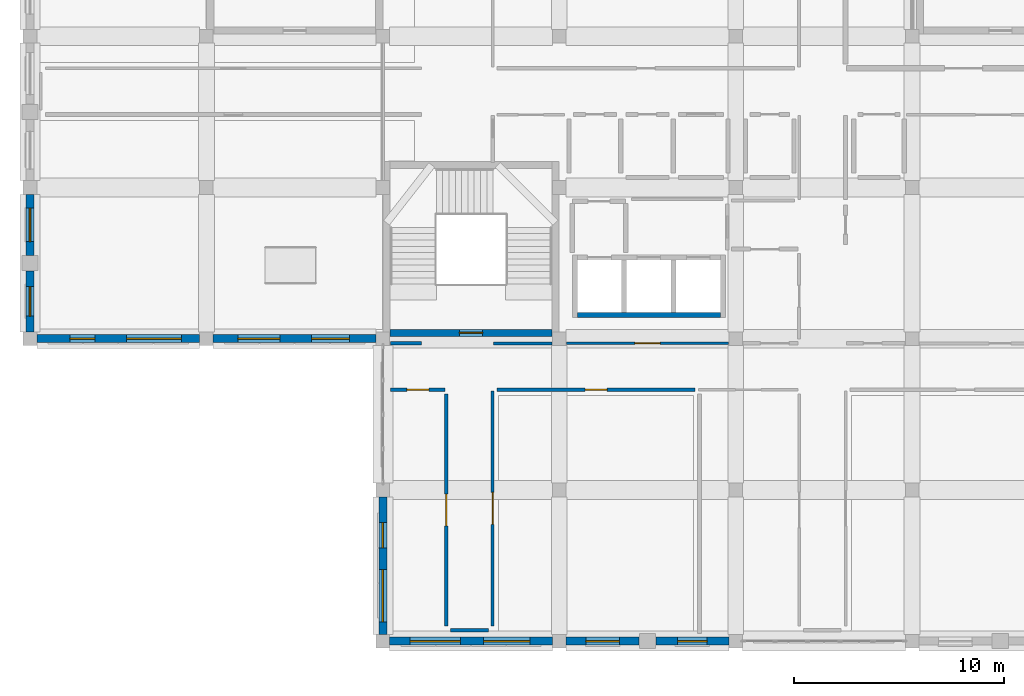
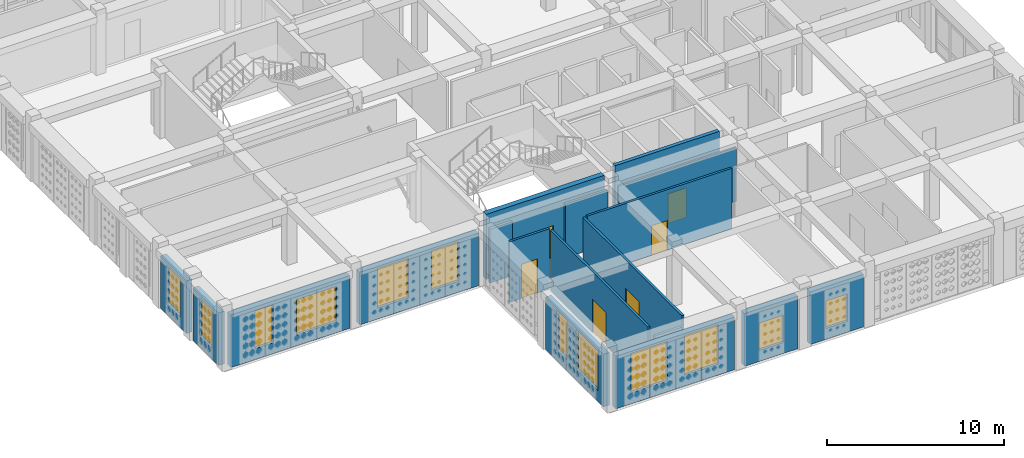
# One storey, part 39 of 79: 18 walls, 12 windows, 6 doors, 18 openings.
"""IFC4 building model written with IfcOpenShell, lengths in metres."""

from ifc_helpers import new_model, si_unit, derived_unit, direction, frame, frame_2d, origin, place, context, subcontext, project, spatial, rectangle, extrude, material, layer, layer_set, type_object, element, fill, save


model = new_model("IFC4")

# Units and contexts
model_context = context("Model", 3, precision=1e-05, world=origin(), true_north=direction((0.0, 1.0)))
body_context = subcontext(model_context, "Body", "Model", "MODEL_VIEW")
ifc_project = project(units=[si_unit("LENGTHUNIT", "METRE"), si_unit("AREAUNIT", "SQUARE_METRE"), si_unit("VOLUMEUNIT", "CUBIC_METRE"), si_unit("PLANEANGLEUNIT", "RADIAN"), si_unit("MASSUNIT", "GRAM", prefix="KILO"), derived_unit("THERMALTRANSMITTANCEUNIT", [(si_unit("POWERUNIT", "WATT"), 1), (si_unit("LENGTHUNIT", "METRE"), -2), (si_unit("THERMODYNAMICTEMPERATUREUNIT", "KELVIN"), -1)])], contexts=[model_context])

# Site, building, storey
site_placement = place(None, origin())
site = spatial("IfcSite", under=ifc_project, at=site_placement, CompositionType="ELEMENT")
building_placement = place(site_placement, origin())
building = spatial("IfcBuilding", under=site, at=building_placement, Name="Veybourne Emporium", CompositionType="ELEMENT")
storey_placement = place(building_placement, frame((0.0, 0.0, 18.89990234375)))
storey = spatial("IfcBuildingStorey", under=building, at=storey_placement, Name="L04", CompositionType="ELEMENT", Elevation=18.89990234375)

# Wall, openings, windows
ifc_material_1 = material(Name="Portland Limestone Ashlar", Category="masonry")
ifc_layer_1 = layer(ifc_material_1, 0.3798828125)
ifc_layer_set_1 = layer_set([ifc_layer_1], Name="Portland Limestone Ashlar")
wall_type_1 = type_object("IfcWallType", Name="ExtWall_EW-03", PredefinedType="SOLIDWALL", material=ifc_layer_set_1)
wall_1_placement = place(storey_placement, frame((8.074951171875, 14.39990234375, 0.0), z_axis=(0.0, 0.0, 1.0), x_axis=(-1.0, 0.0, 0.0)))
wall_1 = element("IfcWall", 1, at=wall_1_placement, inside=storey, type_object=wall_type_1, Name="L04 Portland stone external wall 001", PredefinedType="SOLIDWALL", context=body_context, shape_type="SweptSolid", body=[
    extrude(rectangle(XDim=7.75, YDim=0.3798828125, at=frame_2d((3.875, 0.0))), origin(), (0.0, 0.0, 1.0), 3.630126953125),
])
opening_1_placement = place(wall_1_placement, frame((0.8701171875, 0.0, 0.75)))
opening_1 = element("IfcOpeningElement", 2, at=opening_1_placement, cuts=wall_1, Name="Opening W-32", PredefinedType="OPENING", context=body_context, shape_type="SweptSolid", body=[
    extrude(rectangle(XDim=2.60009765625, YDim=2.43994140625, at=frame_2d((1.300048828125, 1.219970703125))), frame((0.0, 0.2099609375, 0.0), z_axis=(0.0, -1.0, 0.0), x_axis=(1.0, 0.0, 0.0)), (0.0, 0.0, 1.0), 0.419921875),
])
opening_2_placement = place(wall_1_placement, frame((4.97998046875, 0.0, 0.75)))
opening_2 = element("IfcOpeningElement", 3, at=opening_2_placement, cuts=wall_1, Name="Opening W-33", PredefinedType="OPENING", context=body_context, shape_type="SweptSolid", body=[
    extrude(rectangle(XDim=1.199951171875, YDim=2.6201171875, at=frame_2d((0.60009765625, 1.31005859375))), frame((0.0, 0.2099609375, 0.0), z_axis=(0.0, -1.0, 0.0), x_axis=(1.0, 0.0, 0.0)), (0.0, 0.0, 1.0), 0.419921875),
])
ifc_material_2 = material(Name="Low-E Triple Glazing", Category="glass")
window_type_1 = type_object("IfcWindowType", Name="Win_W-32", PartitioningType="TRIPLE_PANEL_VERTICAL", PredefinedType="WINDOW", material=ifc_material_2)
window_1_placement = place(opening_1_placement, origin())
window_1 = element("IfcWindow", 4, at=window_1_placement, inside=storey, type_object=window_type_1, Name="L04 tripartite bronze casement window W-32 (1.1)", OverallHeight=2.43994140625, OverallWidth=2.60009765625, PartitioningType="TRIPLE_PANEL_VERTICAL", PredefinedType="WINDOW", context=body_context, shape_type="SweptSolid", body=[
    extrude(rectangle(XDim=2.60009765625, YDim=2.43994140625, at=frame_2d((1.300048828125, 1.219970703125))), frame((0.0, 0.030029296875, 0.0), z_axis=(0.0, -1.0, 0.0), x_axis=(1.0, 0.0, 0.0)), (0.0, 0.0, 1.0), 0.06005859375),
])
fill(opening_1, window_1)
window_type_2 = type_object("IfcWindowType", Name="Win_W-33", PartitioningType="SINGLE_PANEL", PredefinedType="WINDOW", material=ifc_material_2)
window_2_placement = place(opening_2_placement, origin())
window_2 = element("IfcWindow", 5, at=window_2_placement, inside=storey, type_object=window_type_2, Name="L04 tripartite bronze casement window W-33 (1.2)", OverallHeight=2.6201171875, OverallWidth=1.199951171875, PartitioningType="SINGLE_PANEL", PredefinedType="WINDOW", context=body_context, shape_type="SweptSolid", body=[
    extrude(rectangle(XDim=1.199951171875, YDim=2.6201171875, at=frame_2d((0.60009765625, 1.31005859375))), frame((0.0, 0.030029296875, 0.0), z_axis=(0.0, -1.0, 0.0), x_axis=(1.0, 0.0, 0.0)), (0.0, 0.0, 1.0), 0.06005859375),
])
fill(opening_2, window_2)

# Wall, opening, window
wall_2_placement = place(storey_placement, frame((0.0, 14.72509765625, 0.0), z_axis=(0.0, 0.0, 1.0), x_axis=(0.0, 1.0, 0.0)))
wall_2 = element("IfcWall", 6, at=wall_2_placement, inside=storey, type_object=wall_type_1, Name="L04 Portland stone external wall 002A", PredefinedType="SOLIDWALL", context=body_context, shape_type="SweptSolid", body=[
    extrude(rectangle(XDim=2.90478515625, YDim=0.3798828125, at=frame_2d((1.452392578125, 0.0))), origin(), (0.0, 0.0, 1.0), 3.630126953125),
])
opening_3_placement = place(wall_2_placement, frame((0.75244140625, 0.0, 0.75)))
opening_3 = element("IfcOpeningElement", 7, at=opening_3_placement, cuts=wall_2, Name="Opening W-34", PredefinedType="OPENING", context=body_context, shape_type="SweptSolid", body=[
    extrude(rectangle(XDim=1.39990234375, YDim=2.6201171875, at=frame_2d((0.699951171875, 1.31005859375))), frame((0.0, 0.2099609375, 0.0), z_axis=(0.0, -1.0, 0.0), x_axis=(1.0, 0.0, 0.0)), (0.0, 0.0, 1.0), 0.419921875),
])
window_type_3 = type_object("IfcWindowType", Name="Win_W-34", PartitioningType="DOUBLE_PANEL_VERTICAL", PredefinedType="WINDOW", material=ifc_material_2)
window_3_placement = place(opening_3_placement, origin())
window_3 = element("IfcWindow", 8, at=window_3_placement, inside=storey, type_object=window_type_3, Name="L04 tripartite bronze casement window W-34 (2A)", OverallHeight=2.6201171875, OverallWidth=1.39990234375, PartitioningType="DOUBLE_PANEL_VERTICAL", PredefinedType="WINDOW", context=body_context, shape_type="SweptSolid", body=[
    extrude(rectangle(XDim=1.39990234375, YDim=2.6201171875, at=frame_2d((0.699951171875, 1.31005859375))), frame((0.0, 0.030029296875, 0.0), z_axis=(0.0, -1.0, 0.0), x_axis=(1.0, 0.0, 0.0)), (0.0, 0.0, 1.0), 0.06005859375),
])
fill(opening_3, window_3)

wall_3_placement = place(storey_placement, frame((0.0, 18.3701171875, 0.0), z_axis=(0.0, 0.0, 1.0), x_axis=(0.0, 1.0, 0.0)))
wall_3 = element("IfcWall", 9, at=wall_3_placement, inside=storey, type_object=wall_type_1, Name="L04 Portland stone external wall 002B", PredefinedType="SOLIDWALL", context=body_context, shape_type="SweptSolid", body=[
    extrude(rectangle(XDim=2.90478515625, YDim=0.3798828125, at=frame_2d((1.452392578125, 0.0))), origin(), (0.0, 0.0, 1.0), 3.630126953125),
])
opening_4_placement = place(wall_3_placement, frame((0.652587890625, 0.0, 0.75)))
opening_4 = element("IfcOpeningElement", 10, at=opening_4_placement, cuts=wall_3, Name="Opening W-35", PredefinedType="OPENING", context=body_context, shape_type="SweptSolid", body=[
    extrude(rectangle(XDim=1.60009765625, YDim=2.6201171875, at=frame_2d((0.800048828125, 1.31005859375))), frame((0.0, 0.2099609375, 0.0), z_axis=(0.0, -1.0, 0.0), x_axis=(1.0, 0.0, 0.0)), (0.0, 0.0, 1.0), 0.419921875),
])
window_type_4 = type_object("IfcWindowType", Name="Win_W-35", PartitioningType="DOUBLE_PANEL_VERTICAL", PredefinedType="WINDOW", material=ifc_material_2)
window_4_placement = place(opening_4_placement, origin())
window_4 = element("IfcWindow", 11, at=window_4_placement, inside=storey, type_object=window_type_4, Name="L04 tripartite bronze casement window W-35 (2B)", OverallHeight=2.6201171875, OverallWidth=1.60009765625, PartitioningType="DOUBLE_PANEL_VERTICAL", PredefinedType="WINDOW", context=body_context, shape_type="SweptSolid", body=[
    extrude(rectangle(XDim=1.60009765625, YDim=2.6201171875, at=frame_2d((0.800048828125, 1.31005859375))), frame((0.0, 0.030029296875, 0.0), z_axis=(0.0, -1.0, 0.0), x_axis=(1.0, 0.0, 0.0)), (0.0, 0.0, 1.0), 0.06005859375),
])
fill(opening_4, window_4)

# Wall, openings, windows
wall_4_placement = place(storey_placement, frame((16.47509765625, 14.39990234375, 0.0), z_axis=(0.0, 0.0, 1.0), x_axis=(-1.0, 0.0, 0.0)))
wall_4 = element("IfcWall", 12, at=wall_4_placement, inside=storey, type_object=wall_type_1, Name="L04 Portland stone external wall 008", PredefinedType="SOLIDWALL", context=body_context, shape_type="SweptSolid", body=[
    extrude(rectangle(XDim=7.75, YDim=0.3798828125, at=frame_2d((3.875, 0.0))), origin(), (0.0, 0.0, 1.0), 3.630126953125),
])
opening_5_placement = place(wall_4_placement, frame((1.27001953125, 0.0, 0.75)))
opening_5 = element("IfcOpeningElement", 13, at=opening_5_placement, cuts=wall_4, Name="Opening W-44", PredefinedType="OPENING", context=body_context, shape_type="SweptSolid", body=[
    extrude(rectangle(XDim=1.800048828125, YDim=2.72998046875, at=frame_2d((0.89990234375, 1.364990234375))), frame((0.0, 0.2099609375, 0.0), z_axis=(0.0, -1.0, 0.0), x_axis=(1.0, 0.0, 0.0)), (0.0, 0.0, 1.0), 0.419921875),
])
opening_6_placement = place(wall_4_placement, frame((4.580078125, 0.0, 0.75)))
opening_6 = element("IfcOpeningElement", 14, at=opening_6_placement, cuts=wall_4, Name="Opening W-45", PredefinedType="OPENING", context=body_context, shape_type="SweptSolid", body=[
    extrude(rectangle(XDim=2.0, YDim=2.72998046875, at=frame_2d((1.0, 1.364990234375))), frame((0.0, 0.2099609375, 0.0), z_axis=(0.0, -1.0, 0.0), x_axis=(1.0, 0.0, 0.0)), (0.0, 0.0, 1.0), 0.419921875),
])
window_type_5 = type_object("IfcWindowType", Name="Win_W-44", PartitioningType="DOUBLE_PANEL_VERTICAL", PredefinedType="WINDOW", material=ifc_material_2)
window_5_placement = place(opening_5_placement, origin())
window_5 = element("IfcWindow", 15, at=window_5_placement, inside=storey, type_object=window_type_5, Name="L04 tripartite bronze casement window W-44 (8.1)", OverallHeight=2.72998046875, OverallWidth=1.800048828125, PartitioningType="DOUBLE_PANEL_VERTICAL", PredefinedType="WINDOW", context=body_context, shape_type="SweptSolid", body=[
    extrude(rectangle(XDim=1.800048828125, YDim=2.72998046875, at=frame_2d((0.89990234375, 1.364990234375))), frame((0.0, 0.030029296875, 0.0), z_axis=(0.0, -1.0, 0.0), x_axis=(1.0, 0.0, 0.0)), (0.0, 0.0, 1.0), 0.06005859375),
])
fill(opening_5, window_5)
window_type_6 = type_object("IfcWindowType", Name="Win_W-45", PartitioningType="TRIPLE_PANEL_VERTICAL", PredefinedType="WINDOW", material=ifc_material_2)
window_6_placement = place(opening_6_placement, origin())
window_6 = element("IfcWindow", 16, at=window_6_placement, inside=storey, type_object=window_type_6, Name="L04 tripartite bronze casement window W-45 (8.2)", OverallHeight=2.72998046875, OverallWidth=2.0, PartitioningType="TRIPLE_PANEL_VERTICAL", PredefinedType="WINDOW", context=body_context, shape_type="SweptSolid", body=[
    extrude(rectangle(XDim=2.0, YDim=2.72998046875, at=frame_2d((1.0, 1.364990234375))), frame((0.0, 0.030029296875, 0.0), z_axis=(0.0, -1.0, 0.0), x_axis=(1.0, 0.0, 0.0)), (0.0, 0.0, 1.0), 0.06005859375),
])
fill(opening_6, window_6)

wall_5_placement = place(storey_placement, frame((24.875, 0.0, 0.0), z_axis=(0.0, 0.0, 1.0), x_axis=(-1.0, 0.0, 0.0)))
wall_5 = element("IfcWall", 17, at=wall_5_placement, inside=storey, type_object=wall_type_1, Name="L04 Portland stone external wall 010", PredefinedType="SOLIDWALL", context=body_context, shape_type="SweptSolid", body=[
    extrude(rectangle(XDim=7.75, YDim=0.3798828125, at=frame_2d((3.875, 0.0))), origin(), (0.0, 0.0, 1.0), 3.630126953125),
])
opening_7_placement = place(wall_5_placement, frame((1.070068359375, 0.0, 0.75)))
opening_7 = element("IfcOpeningElement", 18, at=opening_7_placement, cuts=wall_5, Name="Opening W-46", PredefinedType="OPENING", context=body_context, shape_type="SweptSolid", body=[
    extrude(rectangle(XDim=2.199951171875, YDim=2.72998046875, at=frame_2d((1.10009765625, 1.364990234375))), frame((0.0, 0.2099609375, 0.0), z_axis=(0.0, -1.0, 0.0), x_axis=(1.0, 0.0, 0.0)), (0.0, 0.0, 1.0), 0.419921875),
])
opening_8_placement = place(wall_5_placement, frame((4.3798828125, 0.0, 0.75)))
opening_8 = element("IfcOpeningElement", 19, at=opening_8_placement, cuts=wall_5, Name="Opening W-47", PredefinedType="OPENING", context=body_context, shape_type="SweptSolid", body=[
    extrude(rectangle(XDim=2.39990234375, YDim=2.72998046875, at=frame_2d((1.199951171875, 1.364990234375))), frame((0.0, 0.2099609375, 0.0), z_axis=(0.0, -1.0, 0.0), x_axis=(1.0, 0.0, 0.0)), (0.0, 0.0, 1.0), 0.419921875),
])
window_type_7 = type_object("IfcWindowType", Name="Win_W-46", PartitioningType="TRIPLE_PANEL_VERTICAL", PredefinedType="WINDOW", material=ifc_material_2)
window_7_placement = place(opening_7_placement, origin())
window_7 = element("IfcWindow", 20, at=window_7_placement, inside=storey, type_object=window_type_7, Name="L04 tripartite bronze casement window W-46 (10.1)", OverallHeight=2.72998046875, OverallWidth=2.199951171875, PartitioningType="TRIPLE_PANEL_VERTICAL", PredefinedType="WINDOW", context=body_context, shape_type="SweptSolid", body=[
    extrude(rectangle(XDim=2.199951171875, YDim=2.72998046875, at=frame_2d((1.10009765625, 1.364990234375))), frame((0.0, 0.030029296875, 0.0), z_axis=(0.0, -1.0, 0.0), x_axis=(1.0, 0.0, 0.0)), (0.0, 0.0, 1.0), 0.06005859375),
])
fill(opening_7, window_7)
window_type_8 = type_object("IfcWindowType", Name="Win_W-47", PartitioningType="TRIPLE_PANEL_VERTICAL", PredefinedType="WINDOW", material=ifc_material_2)
window_8_placement = place(opening_8_placement, origin())
window_8 = element("IfcWindow", 21, at=window_8_placement, inside=storey, type_object=window_type_8, Name="L04 tripartite bronze casement window W-47 (10.2)", OverallHeight=2.72998046875, OverallWidth=2.39990234375, PartitioningType="TRIPLE_PANEL_VERTICAL", PredefinedType="WINDOW", context=body_context, shape_type="SweptSolid", body=[
    extrude(rectangle(XDim=2.39990234375, YDim=2.72998046875, at=frame_2d((1.199951171875, 1.364990234375))), frame((0.0, 0.030029296875, 0.0), z_axis=(0.0, -1.0, 0.0), x_axis=(1.0, 0.0, 0.0)), (0.0, 0.0, 1.0), 0.06005859375),
])
fill(opening_8, window_8)

wall_6_placement = place(storey_placement, frame((16.800048828125, 0.324951171875, 0.0), z_axis=(0.0, 0.0, 1.0), x_axis=(0.0, 1.0, 0.0)))
wall_6 = element("IfcWall", 22, at=wall_6_placement, inside=storey, type_object=wall_type_1, Name="L04 Portland stone external wall 011", PredefinedType="SOLIDWALL", context=body_context, shape_type="SweptSolid", body=[
    extrude(rectangle(XDim=6.550048828125, YDim=0.3798828125, at=frame_2d((3.27490234375, 0.0))), origin(), (0.0, 0.0, 1.0), 3.630126953125),
])
opening_9_placement = place(wall_6_placement, frame((0.589111328125, 0.0, 0.75)))
opening_9 = element("IfcOpeningElement", 23, at=opening_9_placement, cuts=wall_6, Name="Opening W-48", PredefinedType="OPENING", context=body_context, shape_type="SweptSolid", body=[
    extrude(rectangle(XDim=2.489990234375, YDim=2.72998046875, at=frame_2d((1.2451171875, 1.364990234375))), frame((0.0, 0.2099609375, 0.0), z_axis=(0.0, -1.0, 0.0), x_axis=(1.0, 0.0, 0.0)), (0.0, 0.0, 1.0), 0.419921875),
])
opening_10_placement = place(wall_6_placement, frame((4.115966796875, 0.0, 0.75)))
opening_10 = element("IfcOpeningElement", 24, at=opening_10_placement, cuts=wall_6, Name="Opening W-49", PredefinedType="OPENING", context=body_context, shape_type="SweptSolid", body=[
    extrude(rectangle(XDim=1.199951171875, YDim=2.72998046875, at=frame_2d((0.60009765625, 1.364990234375))), frame((0.0, 0.2099609375, 0.0), z_axis=(0.0, -1.0, 0.0), x_axis=(1.0, 0.0, 0.0)), (0.0, 0.0, 1.0), 0.419921875),
])
window_type_9 = type_object("IfcWindowType", Name="Win_W-48", PartitioningType="TRIPLE_PANEL_VERTICAL", PredefinedType="WINDOW", material=ifc_material_2)
window_9_placement = place(opening_9_placement, origin())
window_9 = element("IfcWindow", 25, at=window_9_placement, inside=storey, type_object=window_type_9, Name="L04 tripartite bronze casement window W-48 (11.1)", OverallHeight=2.72998046875, OverallWidth=2.489990234375, PartitioningType="TRIPLE_PANEL_VERTICAL", PredefinedType="WINDOW", context=body_context, shape_type="SweptSolid", body=[
    extrude(rectangle(XDim=2.489990234375, YDim=2.72998046875, at=frame_2d((1.2451171875, 1.364990234375))), frame((0.0, 0.030029296875, 0.0), z_axis=(0.0, -1.0, 0.0), x_axis=(1.0, 0.0, 0.0)), (0.0, 0.0, 1.0), 0.06005859375),
])
fill(opening_9, window_9)
window_type_10 = type_object("IfcWindowType", Name="Win_W-49", PartitioningType="SINGLE_PANEL", PredefinedType="WINDOW", material=ifc_material_2)
window_10_placement = place(opening_10_placement, origin())
window_10 = element("IfcWindow", 26, at=window_10_placement, inside=storey, type_object=window_type_10, Name="L04 tripartite bronze casement window W-49 (11.2)", OverallHeight=2.72998046875, OverallWidth=1.199951171875, PartitioningType="SINGLE_PANEL", PredefinedType="WINDOW", context=body_context, shape_type="SweptSolid", body=[
    extrude(rectangle(XDim=1.199951171875, YDim=2.72998046875, at=frame_2d((0.60009765625, 1.364990234375))), frame((0.0, 0.030029296875, 0.0), z_axis=(0.0, -1.0, 0.0), x_axis=(1.0, 0.0, 0.0)), (0.0, 0.0, 1.0), 0.06005859375),
])
fill(opening_10, window_10)

# Wall, opening, window
wall_7_placement = place(storey_placement, frame((33.27490234375, 0.0, 0.0), z_axis=(0.0, 0.0, 1.0), x_axis=(-1.0, 0.0, 0.0)))
wall_7 = element("IfcWall", 27, at=wall_7_placement, inside=storey, type_object=wall_type_1, Name="L04 Portland stone external wall 019A", PredefinedType="SOLIDWALL", context=body_context, shape_type="SweptSolid", body=[
    extrude(rectangle(XDim=3.474853515625, YDim=0.3798828125, at=frame_2d((1.7373046875, 0.0))), origin(), (0.0, 0.0, 1.0), 3.630126953125),
])
opening_11_placement = place(wall_7_placement, frame((1.03759765625, 0.0, 0.75)))
opening_11 = element("IfcOpeningElement", 28, at=opening_11_placement, cuts=wall_7, Name="Opening W-02", PredefinedType="OPENING", context=body_context, shape_type="SweptSolid", body=[
    extrude(rectangle(XDim=1.39990234375, YDim=1.89990234375, at=frame_2d((0.699951171875, 0.949951171875))), frame((0.0, 0.2099609375, 0.0), z_axis=(0.0, -1.0, 0.0), x_axis=(1.0, 0.0, 0.0)), (0.0, 0.0, 1.0), 0.419921875),
])
window_type_11 = type_object("IfcWindowType", Name="Win_W-02", PartitioningType="DOUBLE_PANEL_VERTICAL", PredefinedType="WINDOW", material=ifc_material_2)
window_11_placement = place(opening_11_placement, origin())
window_11 = element("IfcWindow", 29, at=window_11_placement, inside=storey, type_object=window_type_11, Name="L04 tripartite bronze casement window W-02 (19A)", OverallHeight=1.89990234375, OverallWidth=1.39990234375, PartitioningType="DOUBLE_PANEL_VERTICAL", PredefinedType="WINDOW", context=body_context, shape_type="SweptSolid", body=[
    extrude(rectangle(XDim=1.39990234375, YDim=1.89990234375, at=frame_2d((0.699951171875, 0.949951171875))), frame((0.0, 0.030029296875, 0.0), z_axis=(0.0, -1.0, 0.0), x_axis=(1.0, 0.0, 0.0)), (0.0, 0.0, 1.0), 0.06005859375),
])
fill(opening_11, window_11)

wall_8_placement = place(storey_placement, frame((29.0, 0.0, 0.0), z_axis=(0.0, 0.0, 1.0), x_axis=(-1.0, 0.0, 0.0)))
wall_8 = element("IfcWall", 30, at=wall_8_placement, inside=storey, type_object=wall_type_1, Name="L04 Portland stone external wall 019B", PredefinedType="SOLIDWALL", context=body_context, shape_type="SweptSolid", body=[
    extrude(rectangle(XDim=3.47509765625, YDim=0.3798828125, at=frame_2d((1.737548828125, 0.0))), origin(), (0.0, 0.0, 1.0), 3.630126953125),
])
opening_12_placement = place(wall_8_placement, frame((0.9375, 0.0, 0.75)))
opening_12 = element("IfcOpeningElement", 31, at=opening_12_placement, cuts=wall_8, Name="Opening W-03", PredefinedType="OPENING", context=body_context, shape_type="SweptSolid", body=[
    extrude(rectangle(XDim=1.60009765625, YDim=1.89990234375, at=frame_2d((0.800048828125, 0.949951171875))), frame((0.0, 0.2099609375, 0.0), z_axis=(0.0, -1.0, 0.0), x_axis=(1.0, 0.0, 0.0)), (0.0, 0.0, 1.0), 0.419921875),
])
window_type_12 = type_object("IfcWindowType", Name="Win_W-03", PartitioningType="DOUBLE_PANEL_VERTICAL", PredefinedType="WINDOW", material=ifc_material_2)
window_12_placement = place(opening_12_placement, origin())
window_12 = element("IfcWindow", 32, at=window_12_placement, inside=storey, type_object=window_type_12, Name="L04 tripartite bronze casement window W-03 (19B)", OverallHeight=1.89990234375, OverallWidth=1.60009765625, PartitioningType="DOUBLE_PANEL_VERTICAL", PredefinedType="WINDOW", context=body_context, shape_type="SweptSolid", body=[
    extrude(rectangle(XDim=1.60009765625, YDim=1.89990234375, at=frame_2d((0.800048828125, 0.949951171875))), frame((0.0, 0.030029296875, 0.0), z_axis=(0.0, -1.0, 0.0), x_axis=(1.0, 0.0, 0.0)), (0.0, 0.0, 1.0), 0.06005859375),
])
fill(opening_12, window_12)

# Wall, opening, door
ifc_material_3 = material(Name="Concrete C40/50", Category="concrete")
ifc_layer_2 = layer(ifc_material_3, 0.35009765625)
ifc_layer_set_2 = layer_set([ifc_layer_2], Name="Concrete C40/50")
wall_type_2 = type_object("IfcWallType", Name="IntWall_CW-02", PredefinedType="SHEAR", material=ifc_layer_set_2)
wall_9_placement = place(storey_placement, frame((24.85009765625, 14.675048828125, 0.0), z_axis=(0.0, 0.0, 1.0), x_axis=(-1.0, 0.0, 0.0)))
wall_9 = element("IfcWall", 33, at=wall_9_placement, inside=storey, type_object=wall_type_2, Name="Core stair ST-01 south shear wall (L04)", PredefinedType="SHEAR", context=body_context, shape_type="SweptSolid", body=[
    extrude(rectangle(XDim=7.7001953125, YDim=0.35009765625, at=frame_2d((3.85009765625, 0.0))), origin(), (0.0, 0.0, 1.0), 4.5),
])
opening_13_placement = place(wall_9_placement, frame((3.300048828125, 0.0, 0.0)))
opening_13 = element("IfcOpeningElement", 34, at=opening_13_placement, cuts=wall_9, Name="Opening FD-01", PredefinedType="OPENING", context=body_context, shape_type="SweptSolid", body=[
    extrude(rectangle(XDim=1.10009765625, YDim=2.199951171875, at=frame_2d((0.550048828125, 1.10009765625))), frame((0.0, 0.195068359375, 0.0), z_axis=(0.0, -1.0, 0.0), x_axis=(1.0, 0.0, 0.0)), (0.0, 0.0, 1.0), 0.39013671875),
])
ifc_material_4 = material(Name="Patinated Architectural Bronze", Category="bronze")
door_type_1 = type_object("IfcDoorType", Name="FireDoor_FD-01", OperationType="NOTDEFINED", PredefinedType="DOOR", material=ifc_material_4)
door_1_placement = place(opening_13_placement, origin())
door_1 = element("IfcDoor", 35, at=door_1_placement, inside=storey, type_object=door_type_1, Name="Stair ST-01 fire door (L04)", OperationType="SINGLE_SWING_LEFT", OverallHeight=2.199951171875, OverallWidth=1.10009765625, PredefinedType="DOOR", context=body_context, shape_type="SweptSolid", body=[
    extrude(rectangle(XDim=1.10009765625, YDim=2.199951171875, at=frame_2d((0.550048828125, 1.10009765625))), frame((0.0, 0.02490234375, 0.0), z_axis=(0.0, -1.0, 0.0), x_axis=(1.0, 0.0, 0.0)), (0.0, 0.0, 1.0), 0.050048828125),
])
fill(opening_13, door_1)

# Walls
ifc_layer_3 = layer(ifc_material_3, 0.239990234375)
ifc_layer_set_3 = layer_set([ifc_layer_3], Name="Concrete C40/50")
wall_type_3 = type_object("IfcWallType", Name="IntWall_CW-04", PredefinedType="SHEAR", material=ifc_layer_set_3)
wall_10_placement = place(storey_placement, frame((26.06005859375, 15.530029296875, 0.0), z_axis=(0.0, 0.0, 1.0), x_axis=(1.0, 0.0, 0.0)))
element("IfcWall", 36, at=wall_10_placement, inside=storey, type_object=wall_type_3, Name="Lift core C1 south shaft wall (L04)", PredefinedType="SHEAR", context=body_context, shape_type="SweptSolid", body=[
    extrude(rectangle(XDim=6.81982421875, YDim=0.239990234375, at=frame_2d((3.409912109375, 0.0))), origin(), (0.0, 0.0, 1.0), 4.18017578125),
])
ifc_material_5 = material(Name="Gypsum Acoustic Board", Category="gypsum")
ifc_layer_4 = layer(ifc_material_5, 0.179931640625)
ifc_layer_set_4 = layer_set([ifc_layer_4], Name="Gypsum Acoustic Board")
wall_type_4 = type_object("IfcWallType", Name="IntWall_IW-01", PredefinedType="PARTITIONING", material=ifc_layer_set_4)
wall_11_placement = place(storey_placement, frame((17.169921875, 14.179931640625, 0.0), z_axis=(0.0, 0.0, 1.0), x_axis=(1.0, 0.0, 0.0)))
element("IfcWall", 37, at=wall_11_placement, inside=storey, type_object=wall_type_4, Name="L04 interior partition IW-01 #106", PredefinedType="PARTITIONING", context=body_context, shape_type="SweptSolid", body=[
    extrude(rectangle(XDim=1.464111328125, YDim=0.179931640625, at=frame_2d((0.73193359375, 0.0))), origin(), (0.0, 0.0, 1.0), 3.72998046875),
])
ifc_layer_5 = layer(ifc_material_5, 0.14990234375)
ifc_layer_set_5 = layer_set([ifc_layer_5], Name="Gypsum Acoustic Board")
wall_type_5 = type_object("IfcWallType", Name="IntWall_IW-02", PredefinedType="PARTITIONING", material=ifc_layer_set_5)
wall_12_placement = place(storey_placement, frame((22.080078125, 14.179931640625, 0.0), z_axis=(0.0, 0.0, 1.0), x_axis=(1.0, 0.0, 0.0)))
element("IfcWall", 38, at=wall_12_placement, inside=storey, type_object=wall_type_5, Name="L04 interior partition IW-02 #014", PredefinedType="PARTITIONING", context=body_context, shape_type="SweptSolid", body=[
    extrude(rectangle(XDim=2.77490234375, YDim=0.14990234375, at=frame_2d((1.387451171875, 0.0))), origin(), (0.0, 0.0, 1.0), 3.72998046875),
])

# Wall, opening, door
wall_13_placement = place(storey_placement, frame((22.030029296875, 0.72998046875, 0.0), z_axis=(0.0, 0.0, 1.0), x_axis=(0.0, 1.0, 0.0)))
wall_13 = element("IfcWall", 39, at=wall_13_placement, inside=storey, type_object=wall_type_5, Name="L04 interior partition IW-02 #029", PredefinedType="PARTITIONING", context=body_context, shape_type="SweptSolid", body=[
    extrude(rectangle(XDim=11.18994140625, YDim=0.14990234375, at=frame_2d((5.594970703125, 0.0))), origin(), (0.0, 0.0, 1.0), 4.18017578125),
])
opening_14_placement = place(wall_13_placement, frame((4.8349609375, 0.0, 0.0)))
opening_14 = element("IfcOpeningElement", 40, at=opening_14_placement, cuts=wall_13, Name="Opening D-17", PredefinedType="OPENING", context=body_context, shape_type="SweptSolid", body=[
    extrude(rectangle(XDim=1.52001953125, YDim=2.2099609375, at=frame_2d((0.760009765625, 1.10498046875))), frame((0.0, 0.094970703125, 0.0), z_axis=(0.0, -1.0, 0.0), x_axis=(1.0, 0.0, 0.0)), (0.0, 0.0, 1.0), 0.18994140625),
])
ifc_material_6 = material(Name="European Oak Veneer and Bronze", Category="wood")
door_type_2 = type_object("IfcDoorType", Name="IntDoor_D-17", OperationType="NOTDEFINED", PredefinedType="DOOR", material=ifc_material_6)
door_2_placement = place(opening_14_placement, origin())
door_2 = element("IfcDoor", 41, at=door_2_placement, inside=storey, type_object=door_type_2, Name="L04 interior door D-17 (PART-L04-029)", OperationType="SINGLE_SWING_LEFT", OverallHeight=2.2099609375, OverallWidth=1.52001953125, PredefinedType="DOOR", context=body_context, shape_type="SweptSolid", body=[
    extrude(rectangle(XDim=1.52001953125, YDim=2.2099609375, at=frame_2d((0.760009765625, 1.10498046875))), frame((0.0, 0.02490234375, 0.0), z_axis=(0.0, -1.0, 0.0), x_axis=(1.0, 0.0, 0.0)), (0.0, 0.0, 1.0), 0.050048828125),
])
fill(opening_14, door_2)

wall_14_placement = place(storey_placement, frame((19.820068359375, 0.72998046875, 0.0), z_axis=(0.0, 0.0, 1.0), x_axis=(0.0, 1.0, 0.0)))
wall_14 = element("IfcWall", 42, at=wall_14_placement, inside=storey, type_object=wall_type_5, Name="L04 interior partition IW-02 #035", PredefinedType="PARTITIONING", context=body_context, shape_type="SweptSolid", body=[
    extrude(rectangle(XDim=11.030029296875, YDim=0.14990234375, at=frame_2d((5.51513671875, 0.0))), origin(), (0.0, 0.0, 1.0), 4.18017578125),
])
opening_15_placement = place(wall_14_placement, frame((4.7548828125, 0.0, 0.0)))
opening_15 = element("IfcOpeningElement", 43, at=opening_15_placement, cuts=wall_14, Name="Opening D-23", PredefinedType="OPENING", context=body_context, shape_type="SweptSolid", body=[
    extrude(rectangle(XDim=1.52001953125, YDim=2.2900390625, at=frame_2d((0.760009765625, 1.14501953125))), frame((0.0, 0.094970703125, 0.0), z_axis=(0.0, -1.0, 0.0), x_axis=(1.0, 0.0, 0.0)), (0.0, 0.0, 1.0), 0.18994140625),
])
door_type_3 = type_object("IfcDoorType", Name="IntDoor_D-23", OperationType="NOTDEFINED", PredefinedType="DOOR", material=ifc_material_6)
door_3_placement = place(opening_15_placement, origin())
door_3 = element("IfcDoor", 44, at=door_3_placement, inside=storey, type_object=door_type_3, Name="L04 interior door D-23 (PART-L04-035)", OperationType="SINGLE_SWING_LEFT", OverallHeight=2.2900390625, OverallWidth=1.52001953125, PredefinedType="DOOR", context=body_context, shape_type="SweptSolid", body=[
    extrude(rectangle(XDim=1.52001953125, YDim=2.2900390625, at=frame_2d((0.760009765625, 1.14501953125))), frame((0.0, 0.02490234375, 0.0), z_axis=(0.0, -1.0, 0.0), x_axis=(1.0, 0.0, 0.0)), (0.0, 0.0, 1.0), 0.050048828125),
])
fill(opening_15, door_3)

wall_15_placement = place(storey_placement, frame((22.239990234375, 11.969970703125, 0.0), z_axis=(0.0, 0.0, 1.0), x_axis=(1.0, 0.0, 0.0)))
wall_15 = element("IfcWall", 45, at=wall_15_placement, inside=storey, type_object=wall_type_5, Name="L04 interior partition IW-02 #050", PredefinedType="PARTITIONING", context=body_context, shape_type="SweptSolid", body=[
    extrude(rectangle(XDim=9.429931640625, YDim=0.14990234375, at=frame_2d((4.71484375, 0.0))), origin(), (0.0, 0.0, 1.0), 4.18017578125),
])
opening_16_placement = place(wall_15_placement, frame((4.195068359375, 0.0, 0.0)))
opening_16 = element("IfcOpeningElement", 46, at=opening_16_placement, cuts=wall_15, Name="Opening D-02", PredefinedType="OPENING", context=body_context, shape_type="SweptSolid", body=[
    extrude(rectangle(XDim=1.0400390625, YDim=2.050048828125, at=frame_2d((0.52001953125, 1.02490234375))), frame((0.0, 0.094970703125, 0.0), z_axis=(0.0, -1.0, 0.0), x_axis=(1.0, 0.0, 0.0)), (0.0, 0.0, 1.0), 0.18994140625),
])
door_type_4 = type_object("IfcDoorType", Name="IntDoor_D-02", OperationType="NOTDEFINED", PredefinedType="DOOR", material=ifc_material_6)
door_4_placement = place(opening_16_placement, origin())
door_4 = element("IfcDoor", 47, at=door_4_placement, inside=storey, type_object=door_type_4, Name="L04 interior door D-02 (PART-L04-050)", OperationType="SINGLE_SWING_RIGHT", OverallHeight=2.050048828125, OverallWidth=1.0400390625, PredefinedType="DOOR", context=body_context, shape_type="SweptSolid", body=[
    extrude(rectangle(XDim=1.0400390625, YDim=2.050048828125, at=frame_2d((0.52001953125, 1.02490234375))), frame((0.0, 0.02490234375, 0.0), z_axis=(0.0, -1.0, 0.0), x_axis=(1.0, 0.0, 0.0)), (0.0, 0.0, 1.0), 0.050048828125),
])
fill(opening_16, door_4)

wall_16_placement = place(storey_placement, frame((17.169921875, 11.969970703125, 0.0), z_axis=(0.0, 0.0, 1.0), x_axis=(1.0, 0.0, 0.0)))
wall_16 = element("IfcWall", 48, at=wall_16_placement, inside=storey, type_object=wall_type_5, Name="L04 interior partition IW-02 #074", PredefinedType="PARTITIONING", context=body_context, shape_type="SweptSolid", body=[
    extrude(rectangle(XDim=2.60009765625, YDim=0.14990234375, at=frame_2d((1.300048828125, 0.0))), origin(), (0.0, 0.0, 1.0), 4.18017578125),
])
opening_17_placement = place(wall_16_placement, frame((0.780029296875, 0.0, 0.0)))
opening_17 = element("IfcOpeningElement", 49, at=opening_17_placement, cuts=wall_16, Name="Opening D-26", PredefinedType="OPENING", context=body_context, shape_type="SweptSolid", body=[
    extrude(rectangle(XDim=1.0400390625, YDim=2.3701171875, at=frame_2d((0.52001953125, 1.18505859375))), frame((0.0, 0.094970703125, 0.0), z_axis=(0.0, -1.0, 0.0), x_axis=(1.0, 0.0, 0.0)), (0.0, 0.0, 1.0), 0.18994140625),
])
door_type_5 = type_object("IfcDoorType", Name="IntDoor_D-26", OperationType="NOTDEFINED", PredefinedType="DOOR", material=ifc_material_6)
door_5_placement = place(opening_17_placement, origin())
door_5 = element("IfcDoor", 50, at=door_5_placement, inside=storey, type_object=door_type_5, Name="L04 interior door D-26 (PART-L04-074)", OperationType="SINGLE_SWING_RIGHT", OverallHeight=2.3701171875, OverallWidth=1.0400390625, PredefinedType="DOOR", context=body_context, shape_type="SweptSolid", body=[
    extrude(rectangle(XDim=1.0400390625, YDim=2.3701171875, at=frame_2d((0.52001953125, 1.18505859375))), frame((0.0, 0.02490234375, 0.0), z_axis=(0.0, -1.0, 0.0), x_axis=(1.0, 0.0, 0.0)), (0.0, 0.0, 1.0), 0.050048828125),
])
fill(opening_17, door_5)

# Wall
wall_17_placement = place(storey_placement, frame((20.030029296875, 0.52001953125, 0.0), z_axis=(0.0, 0.0, 1.0), x_axis=(1.0, 0.0, 0.0)))
element("IfcWall", 51, at=wall_17_placement, inside=storey, type_object=wall_type_5, Name="L04 interior partition IW-02 #095", PredefinedType="PARTITIONING", context=body_context, shape_type="SweptSolid", body=[
    extrude(rectangle(XDim=1.7900390625, YDim=0.14990234375, at=frame_2d((0.89501953125, 0.0))), origin(), (0.0, 0.0, 1.0), 3.630126953125),
])

# Wall, opening, door
ifc_layer_6 = layer(ifc_material_5, 0.1201171875)
ifc_layer_set_6 = layer_set([ifc_layer_6], Name="Gypsum Acoustic Board")
wall_type_6 = type_object("IfcWallType", Name="IntWall_IW-03", PredefinedType="PARTITIONING", material=ifc_layer_set_6)
wall_18_placement = place(storey_placement, frame((25.544921875, 14.179931640625, 0.0), z_axis=(0.0, 0.0, 1.0), x_axis=(1.0, 0.0, 0.0)))
wall_18 = element("IfcWall", 52, at=wall_18_placement, inside=storey, type_object=wall_type_6, Name="L04 interior partition IW-03 #015", PredefinedType="PARTITIONING", context=body_context, shape_type="SweptSolid", body=[
    extrude(rectangle(XDim=7.7099609375, YDim=0.1201171875, at=frame_2d((3.85498046875, 0.0))), origin(), (0.0, 0.0, 1.0), 3.72998046875),
])
opening_18_placement = place(wall_18_placement, frame((3.2548828125, 0.0, 0.0)))
opening_18 = element("IfcOpeningElement", 53, at=opening_18_placement, cuts=wall_18, Name="Opening D-03", PredefinedType="OPENING", context=body_context, shape_type="SweptSolid", body=[
    extrude(rectangle(XDim=1.199951171875, YDim=2.050048828125, at=frame_2d((0.60009765625, 1.02490234375))), frame((0.0, 0.080078125, 0.0), z_axis=(0.0, -1.0, 0.0), x_axis=(1.0, 0.0, 0.0)), (0.0, 0.0, 1.0), 0.16015625),
])
door_type_6 = type_object("IfcDoorType", Name="IntDoor_D-03", OperationType="NOTDEFINED", PredefinedType="DOOR", material=ifc_material_6)
door_6_placement = place(opening_18_placement, origin())
door_6 = element("IfcDoor", 54, at=door_6_placement, inside=storey, type_object=door_type_6, Name="L04 interior door D-03 (PART-L04-015)", OperationType="SINGLE_SWING_RIGHT", OverallHeight=2.050048828125, OverallWidth=1.199951171875, PredefinedType="DOOR", context=body_context, shape_type="SweptSolid", body=[
    extrude(rectangle(XDim=1.199951171875, YDim=2.050048828125, at=frame_2d((0.60009765625, 1.02490234375))), frame((0.0, 0.02490234375, 0.0), z_axis=(0.0, -1.0, 0.0), x_axis=(1.0, 0.0, 0.0)), (0.0, 0.0, 1.0), 0.050048828125),
])
fill(opening_18, door_6)

save(model, "model.ifc")
